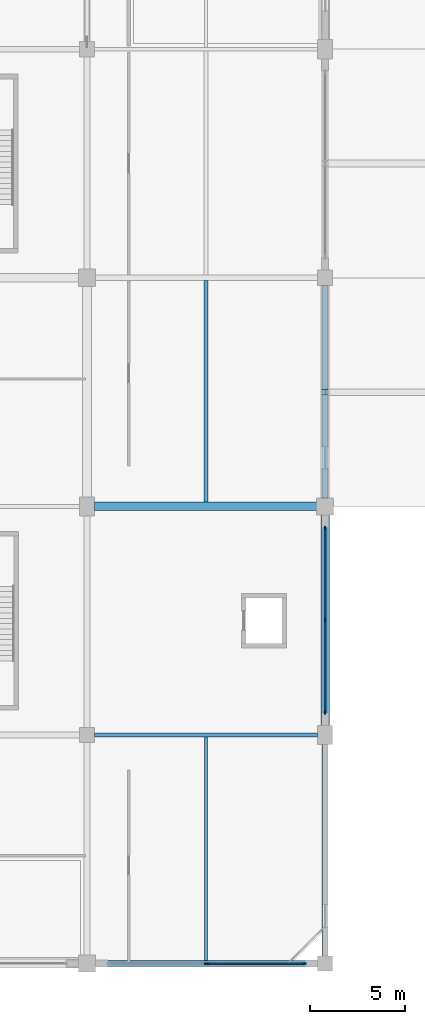
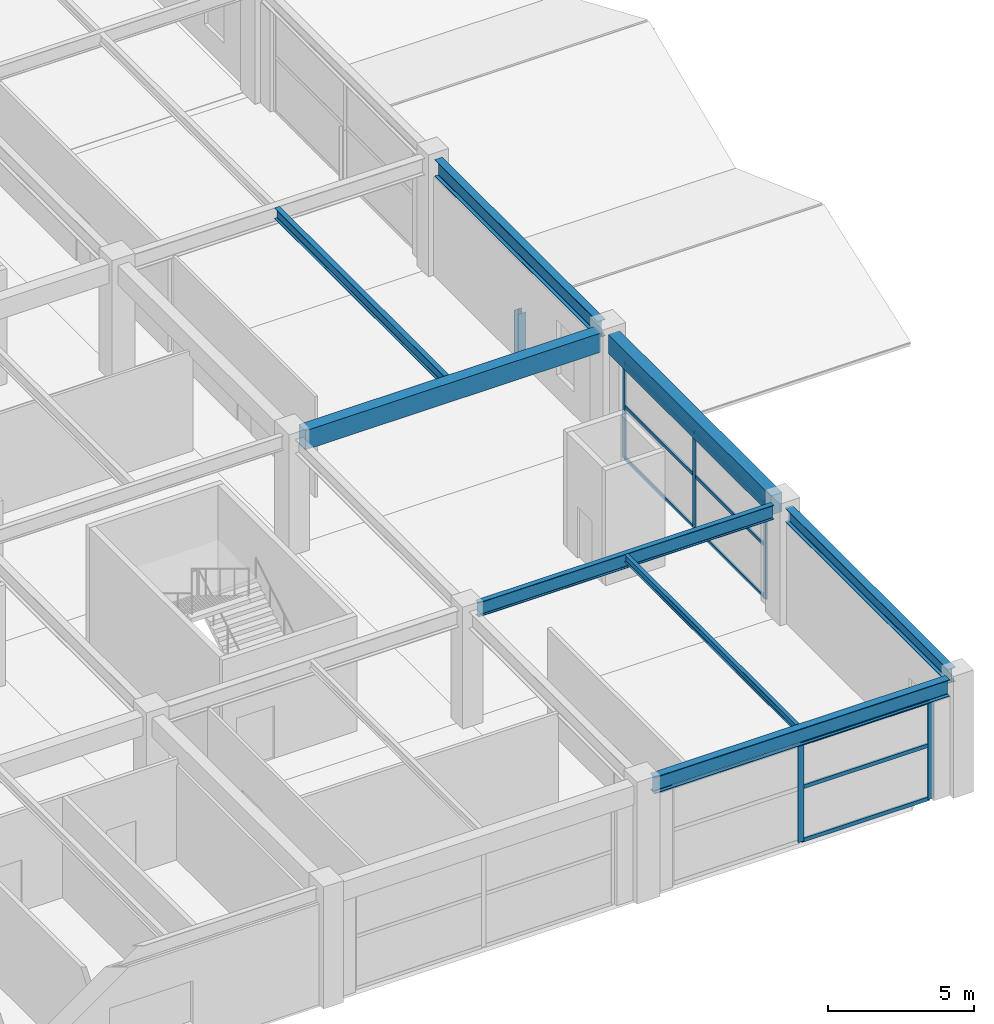
# One storey, part 36 of 116: 15 members, 8 beams, 2 elements without a shape of their own.
"""IFC4 building model written with IfcOpenShell, lengths in metres."""

import ifcopenshell
import ifcopenshell.guid

model = None  # the IFC model being written
_history = None  # IfcOwnerHistory: only IFC2X3 demands one
_inside = {}  # id of a spatial element -> (the spatial element, [elements in it])
_under = {}  # id of a project, library or spatial element -> (it, [spatial elements below it])
_declared = {}  # id of a project -> (the project, [libraries it declares])
_typed = {}  # id of a type object -> (the type object, [elements of that type])
_made_of = {}  # id of a material, layer set ... -> (it, [elements and type objects made of it])


def new_model(schema):
    """Start an empty IFC model of exactly this schema.

    Asked for "IFC4X3", IfcOpenShell would pick the latest addendum, in which some entities
    have other attributes; the version numbers below select the first issue.
    IFC2X3 requires an IfcOwnerHistory on every rooted entity: one is made here for all.
    """
    global model, _history
    if schema == "IFC4X3":
        model = ifcopenshell.file(schema_version=(4, 3, 0, 0))
    else:
        model = ifcopenshell.file(schema=schema)
    _inside.clear()
    _under.clear()
    _declared.clear()
    _typed.clear()
    _made_of.clear()
    _history = None
    if model.schema == "IFC2X3":
        org = make("IfcOrganization", Name="unknown")
        user = make(
            "IfcPersonAndOrganization",
            ThePerson=make("IfcPerson", FamilyName="unknown"),
            TheOrganization=org,
        )
        app = make(
            "IfcApplication",
            ApplicationDeveloper=org,
            Version="unknown",
            ApplicationFullName="unknown",
            ApplicationIdentifier="unknown",
        )
        _history = make(
            "IfcOwnerHistory",
            OwningUser=user,
            OwningApplication=app,
            ChangeAction="ADDED",
            CreationDate=0,
        )
    return model


def make(cls, **values):
    """One entity of the class cls with the attributes given. An attribute that is None is left unset."""
    return model.create_entity(
        cls, **{name: value for name, value in values.items() if value is not None}
    )


def rooted(cls, **values):
    """An entity with a GlobalId (a new one), such as an element, a storey or a relation."""
    return make(cls, GlobalId=ifcopenshell.guid.new(), OwnerHistory=_history, **values)


def si_unit(unit_type, name, prefix=None):
    """IfcSIUnit, for example si_unit("LENGTHUNIT", "METRE", prefix="MILLI")."""
    return make("IfcSIUnit", UnitType=unit_type, Prefix=prefix, Name=name)


def assignment(units):
    """IfcUnitAssignment: the units of a project."""
    return None if units is None else make("IfcUnitAssignment", Units=units)


def point(xyz):
    """IfcCartesianPoint."""
    return None if xyz is None else make("IfcCartesianPoint", Coordinates=xyz)


def direction(xyz):
    """IfcDirection."""
    return None if xyz is None else make("IfcDirection", DirectionRatios=xyz)


def frame(location, z_axis=None, x_axis=None):
    """IfcAxis2Placement3D, a coordinate frame: its origin and axes. An axis left out is left unset."""
    return make(
        "IfcAxis2Placement3D",
        Location=point(location),
        Axis=direction(z_axis),
        RefDirection=direction(x_axis),
    )


def frame_2d(location, x_axis=None):
    """IfcAxis2Placement2D, a coordinate frame in the plane: its origin and x axis."""
    return make(
        "IfcAxis2Placement2D", Location=point(location), RefDirection=direction(x_axis)
    )


def origin():
    """The frame at (0, 0, 0) with its axes left unset."""
    return frame((0.0, 0.0, 0.0))


def origin_2d():
    """The frame at (0, 0) in the plane with its x axis left unset."""
    return frame_2d((0.0, 0.0))


def place(relative_to, where):
    """IfcLocalPlacement: puts the frame where relative to a parent placement (None: the world)."""
    return make(
        "IfcLocalPlacement", PlacementRelTo=relative_to, RelativePlacement=where
    )


def context(
    kind, dimensions, precision=None, world=None, true_north=None, identifier=None
):
    """IfcGeometricRepresentationContext, for example the 3D "Model" context."""
    return make(
        "IfcGeometricRepresentationContext",
        ContextIdentifier=identifier,
        ContextType=kind,
        CoordinateSpaceDimension=dimensions,
        Precision=precision,
        WorldCoordinateSystem=world,
        TrueNorth=true_north,
    )


def subcontext(parent, identifier, kind, view, scale=None):
    """IfcGeometricRepresentationSubContext, for example "Body" below "Model"."""
    return make(
        "IfcGeometricRepresentationSubContext",
        ContextIdentifier=identifier,
        ContextType=kind,
        ParentContext=parent,
        TargetScale=scale,
        TargetView=view,
    )


def project(units=None, contexts=None):
    """IfcProject with its units and contexts."""
    return rooted(
        "IfcProject",
        Name="project",
        RepresentationContexts=contexts,
        UnitsInContext=assignment(units),
    )


def spatial(cls, under=None, at=None, **own):
    """A site, building, storey or space (cls), placed at a placement, below another one or the project."""
    s = rooted(cls, ObjectPlacement=at, **own)
    if under is not None:
        _under.setdefault(under.id(), (under, []))[1].append(s)
    return s


def profile(cls, at=None, kind="AREA", **sizes):
    """A parametric profile (cls). Its sizes go by their IFC names, for example OverallWidth=200.0."""
    return make(cls, ProfileType=kind, Position=at, **sizes)


def rectangle(**sizes):
    """IfcRectangleProfileDef."""
    return profile("IfcRectangleProfileDef", **sizes)


def i_section(**sizes):
    """IfcIShapeProfileDef."""
    return profile("IfcIShapeProfileDef", **sizes)


def extrude(swept, where, along, depth):
    """IfcExtrudedAreaSolid: the profile swept, set in the frame where, extruded along a direction by depth."""
    return make(
        "IfcExtrudedAreaSolid",
        SweptArea=swept,
        Position=where,
        ExtrudedDirection=direction(along),
        Depth=depth,
    )


def shape(context_of_items, identifier, shape_type, items):
    """IfcShapeRepresentation: the items that make up one representation, for example the "Body"."""
    return make(
        "IfcShapeRepresentation",
        ContextOfItems=context_of_items,
        RepresentationIdentifier=identifier,
        RepresentationType=shape_type,
        Items=items,
    )


def material(Name=None, Category=None):
    """IfcMaterial."""
    return make("IfcMaterial", Name=Name, Category=Category)


def layer(
    of_material, thickness, ventilated=None, Name=None, Category=None, Priority=None
):
    """IfcMaterialLayer: one layer of a wall or slab, of a material (None: an air gap)."""
    return make(
        "IfcMaterialLayer",
        Material=of_material,
        LayerThickness=thickness,
        IsVentilated=ventilated,
        Name=Name,
        Category=Category,
        Priority=Priority,
    )


def layer_set(layers, Name=None):
    """IfcMaterialLayerSet."""
    return make("IfcMaterialLayerSet", MaterialLayers=layers, LayerSetName=Name)


def material_profile(
    of_material, cross_section, Name=None, Category=None, Priority=None
):
    """IfcMaterialProfile: a cross section and its material."""
    return make(
        "IfcMaterialProfile",
        Name=Name,
        Material=of_material,
        Profile=cross_section,
        Priority=Priority,
        Category=Category,
    )


def profile_set(profiles, Name=None, composite=None):
    """IfcMaterialProfileSet."""
    return make(
        "IfcMaterialProfileSet",
        Name=Name,
        MaterialProfiles=profiles,
        CompositeProfile=composite,
    )


def made_of(thing, what):
    """Note that an element or type object is made of a material, layer set ...; save() writes the relation."""
    if what is not None:
        _made_of.setdefault(what.id(), (what, []))[1].append(thing)
    return thing


def type_object(cls, material=None, **own):
    """A type object (cls), such as IfcWallType, which elements share."""
    return made_of(rooted(cls, **own), material)


def element(
    cls,
    number,
    at=None,
    inside=None,
    cuts=None,
    type_object=None,
    material=None,
    context=None,
    identifier="Body",
    shape_type=None,
    held_by="IfcProductDefinitionShape",
    body=None,
    shapes=None,
    **own,
):
    """One element of the class cls, such as IfcWall. Its Tag is "e" and its number.

    at: its placement. inside: the storey or other place that contains it. cuts: it is an
    opening in that element (IfcRelVoidsElement). A single representation is given by context,
    identifier, shape_type and body (its items); several are given by shapes. held_by: the class
    of the entity that holds the representations. save() writes the other relations.
    """
    e = rooted(cls, Tag="e%d" % number, ObjectPlacement=at, **own)
    if body is not None:
        shapes = [shape(context, identifier, shape_type, body)]
    if shapes is not None:
        e.Representation = make(held_by, Representations=shapes)
    if inside is not None:
        _inside.setdefault(inside.id(), (inside, []))[1].append(e)
    if cuts is not None:
        rooted(
            "IfcRelVoidsElement", RelatingBuildingElement=cuts, RelatedOpeningElement=e
        )
    if type_object is not None:
        _typed.setdefault(type_object.id(), (type_object, []))[1].append(e)
    return made_of(e, material)


def aggregate(whole, parts):
    """IfcRelAggregates: a whole, such as a stair, and the parts it consists of."""
    return rooted("IfcRelAggregates", RelatingObject=whole, RelatedObjects=parts)


def save(model, path):
    """Write the relations noted so far, then the file.

    IfcRelAggregates (storeys below a building ...), IfcRelContainedInSpatialStructure (elements
    in a storey), IfcRelDefinesByType, IfcRelAssociatesMaterial and IfcRelDeclares: one each for
    every whole, place, type object, material and project.
    """
    for whole, parts in _under.values():
        aggregate(whole, parts)
    for where, things in _inside.values():
        rooted(
            "IfcRelContainedInSpatialStructure",
            RelatedElements=things,
            RelatingStructure=where,
        )
    for kind, things in _typed.values():
        rooted("IfcRelDefinesByType", RelatedObjects=things, RelatingType=kind)
    for what, things in _made_of.values():
        rooted("IfcRelAssociatesMaterial", RelatedObjects=things, RelatingMaterial=what)
    for by, libraries in _declared.values():
        rooted("IfcRelDeclares", RelatingContext=by, RelatedDefinitions=libraries)
    model.write(path)


model = new_model("IFC4")

# Units and contexts
model_context = context("Model", 3, precision=1e-05, world=origin(), true_north=direction((0.0, 1.0)))
body_context = subcontext(model_context, "Body", "Model", "MODEL_VIEW")
ifc_project = project(units=[si_unit("LENGTHUNIT", "METRE"), si_unit("AREAUNIT", "SQUARE_METRE"), si_unit("VOLUMEUNIT", "CUBIC_METRE"), si_unit("PLANEANGLEUNIT", "RADIAN"), si_unit("MASSUNIT", "GRAM", prefix="KILO")], contexts=[model_context])

# Site, building, storey
site_placement = place(None, origin())
site = spatial("IfcSite", under=ifc_project, at=site_placement, CompositionType="ELEMENT")
building_placement = place(site_placement, origin())
building = spatial("IfcBuilding", under=site, at=building_placement, Name="Kazenohara Klinker Stadium", CompositionType="ELEMENT")
storey_placement = place(building_placement, frame((0.0, 0.0, 10.199951171875)))
storey = spatial("IfcBuildingStorey", under=building, at=storey_placement, Name="L02", CompositionType="ELEMENT", Elevation=10.199951171875)

# Beams
ifc_material_1 = material(Name="Steel S355", Category="steel")
ifc_material_profile_1 = material_profile(ifc_material_1, i_section(OverallWidth=0.199951171875, OverallDepth=0.449951171875, WebThickness=0.009033203125, FlangeThickness=0.013916015625, FilletRadius=0.012939453125, at=origin_2d()), Name="H-450x200x9x14")
ifc_profile_set_1 = profile_set([ifc_material_profile_1], Name="Steel S355")
beam_type_1 = type_object("IfcBeamType", Name="BM-JST02", PredefinedType="JOIST", material=ifc_profile_set_1)
beam_1_placement = place(storey_placement, frame((193.75, 36.22509765625, 4.594970703125), z_axis=(0.0, 1.0, 0.0), x_axis=(-1.0, 0.0, 0.0)))
element("IfcBeam", 1, at=beam_1_placement, inside=storey, type_object=beam_type_1, Name="Secondary floor joist SJ02 L02 16/D", PredefinedType="JOIST", context=body_context, shape_type="SweptSolid", body=[
    extrude(i_section(OverallWidth=0.199951171875, OverallDepth=0.449951171875, WebThickness=0.009033203125, FlangeThickness=0.013916015625, FilletRadius=0.012939453125, at=origin_2d()), origin(), (0.0, 0.0, 1.0), 11.625),
])
ifc_material_profile_2 = material_profile(ifc_material_1, i_section(OverallWidth=0.14990234375, OverallDepth=0.300048828125, WebThickness=0.006591796875, FlangeThickness=0.009033203125, FilletRadius=0.012939453125, at=origin_2d()), Name="H-300x150x6.5x9")
ifc_profile_set_2 = profile_set([ifc_material_profile_2], Name="Steel S355")
beam_type_2 = type_object("IfcBeamType", Name="BM-JST05", PredefinedType="JOIST", material=ifc_profile_set_2)
beam_2_placement = place(storey_placement, frame((193.75, 12.14990234375, 4.670166015625), z_axis=(0.0, 1.0, 0.0), x_axis=(-1.0, 0.0, 0.0)))
element("IfcBeam", 2, at=beam_2_placement, inside=storey, type_object=beam_type_2, Name="Secondary floor joist SJ05 L02 16/B", PredefinedType="JOIST", context=body_context, shape_type="SweptSolid", body=[
    extrude(i_section(OverallWidth=0.14990234375, OverallDepth=0.300048828125, WebThickness=0.006591796875, FlangeThickness=0.009033203125, FilletRadius=0.012939453125, at=origin_2d()), origin(), (0.0, 0.0, 1.0), 11.75),
])
ifc_material_2 = material(Name="Concrete C40/50", Category="concrete")
ifc_material_profile_3 = material_profile(ifc_material_2, rectangle(XDim=0.449951171875, YDim=0.800048828125, at=origin_2d()), Name="RC-BM-450x800")
ifc_profile_set_3 = profile_set([ifc_material_profile_3], Name="Concrete C40/50")
beam_type_3 = type_object("IfcBeamType", Name="BM-RC03", PredefinedType="BEAM", material=ifc_profile_set_3)
beam_3_placement = place(storey_placement, frame((187.89990234375, 36.0, 4.420166015625), z_axis=(1.0, 0.0, 0.0), x_axis=(0.0, 1.0, 0.0)))
element("IfcBeam", 3, at=beam_3_placement, inside=storey, type_object=beam_type_3, Name="Primary girder BG03 L02 16-17/D", PredefinedType="BEAM", context=body_context, shape_type="SweptSolid", body=[
    extrude(rectangle(XDim=0.449951171875, YDim=0.800048828125, at=origin_2d()), origin(), (0.0, 0.0, 1.0), 11.68017578125),
])
beam_4_placement = place(storey_placement, frame((200.0, 24.419921875, 4.420166015625), z_axis=(0.0, 1.0, 0.0), x_axis=(-1.0, 0.0, 0.0)))
element("IfcBeam", 4, at=beam_4_placement, inside=storey, type_object=beam_type_3, Name="Primary girder BG03 L02 17/C-D", PredefinedType="BEAM", context=body_context, shape_type="SweptSolid", body=[
    extrude(rectangle(XDim=0.449951171875, YDim=0.800048828125, at=origin_2d()), origin(), (0.0, 0.0, 1.0), 11.16015625),
])
ifc_material_profile_4 = material_profile(ifc_material_1, i_section(OverallWidth=0.300048828125, OverallDepth=0.699951171875, WebThickness=0.012939453125, FlangeThickness=0.02392578125, FilletRadius=0.02197265625, at=origin_2d()), Name="H-700x300x13x24")
ifc_profile_set_4 = profile_set([ifc_material_profile_4], Name="Steel S355")
beam_type_4 = type_object("IfcBeamType", Name="BM-ST03", PredefinedType="BEAM", material=ifc_profile_set_4)
beam_5_placement = place(storey_placement, frame((187.919921875, 12.0, 4.469970703125), z_axis=(1.0, 0.0, 0.0), x_axis=(0.0, 1.0, 0.0)))
element("IfcBeam", 5, at=beam_5_placement, inside=storey, type_object=beam_type_4, Name="Primary girder SB03 L02 16-17/B", PredefinedType="BEAM", context=body_context, shape_type="SweptSolid", body=[
    extrude(i_section(OverallWidth=0.300048828125, OverallDepth=0.699951171875, WebThickness=0.012939453125, FlangeThickness=0.02392578125, FilletRadius=0.02197265625, at=origin_2d()), origin(), (0.0, 0.0, 1.0), 11.68017578125),
])
beam_6_placement = place(storey_placement, frame((200.0, 36.419921875, 4.469970703125), z_axis=(0.0, 1.0, 0.0), x_axis=(-1.0, 0.0, 0.0)))
element("IfcBeam", 6, at=beam_6_placement, inside=storey, type_object=beam_type_4, Name="Primary girder SB03 L02 17/D-E", PredefinedType="BEAM", context=body_context, shape_type="SweptSolid", body=[
    extrude(i_section(OverallWidth=0.300048828125, OverallDepth=0.699951171875, WebThickness=0.012939453125, FlangeThickness=0.02392578125, FilletRadius=0.02197265625, at=origin_2d()), origin(), (0.0, 0.0, 1.0), 11.18017578125),
])
ifc_material_profile_5 = material_profile(ifc_material_1, i_section(OverallWidth=0.199951171875, OverallDepth=0.60009765625, WebThickness=0.010986328125, FlangeThickness=0.01708984375, FilletRadius=0.012939453125, at=origin_2d()), Name="H-600x200x11x17")
ifc_profile_set_5 = profile_set([ifc_material_profile_5], Name="Steel S355")
beam_type_5 = type_object("IfcBeamType", Name="BM-ST04", PredefinedType="BEAM", material=ifc_profile_set_5)
beam_7_placement = place(storey_placement, frame((187.89990234375, 24.0, 4.52001953125), z_axis=(1.0, 0.0, 0.0), x_axis=(0.0, 1.0, 0.0)))
element("IfcBeam", 7, at=beam_7_placement, inside=storey, type_object=beam_type_5, Name="Primary girder SB04 L02 16-17/C", PredefinedType="BEAM", context=body_context, shape_type="SweptSolid", body=[
    extrude(i_section(OverallWidth=0.199951171875, OverallDepth=0.60009765625, WebThickness=0.010986328125, FlangeThickness=0.01708984375, FilletRadius=0.012939453125, at=origin_2d()), origin(), (0.0, 0.0, 1.0), 11.7001953125),
])
ifc_material_profile_6 = material_profile(ifc_material_1, i_section(OverallWidth=0.300048828125, OverallDepth=0.587890625, WebThickness=0.011962890625, FlangeThickness=0.02001953125, FilletRadius=0.02197265625, at=origin_2d()), Name="H-588x300x12x20")
ifc_profile_set_6 = profile_set([ifc_material_profile_6], Name="Steel S355")
beam_type_6 = type_object("IfcBeamType", Name="BM-ST05", PredefinedType="BEAM", material=ifc_profile_set_6)
beam_8_placement = place(storey_placement, frame((200.0, 12.39990234375, 4.526123046875), z_axis=(0.0, 1.0, 0.0), x_axis=(-1.0, 0.0, 0.0)))
element("IfcBeam", 8, at=beam_8_placement, inside=storey, type_object=beam_type_6, Name="Primary girder SB05 L02 17/B-C", PredefinedType="BEAM", context=body_context, shape_type="SweptSolid", body=[
    extrude(i_section(OverallWidth=0.300048828125, OverallDepth=0.587890625, WebThickness=0.011962890625, FlangeThickness=0.02001953125, FilletRadius=0.02197265625, at=origin_2d()), origin(), (0.0, 0.0, 1.0), 11.18017578125),
])

# Curtain wall, members
ifc_material_3 = material(Name="Anodised aluminium and triple glazing", Category="aluminium")
ifc_layer_1 = layer(ifc_material_3, 0.169921875)
ifc_layer_set_1 = layer_set([ifc_layer_1], Name="Anodised aluminium and triple glazing")
curtain_wall_type_1 = type_object("IfcCurtainWallType", Name="CW-SYS-04", PredefinedType="USERDEFINED", material=ifc_layer_set_1)
curtain_wall_1_placement = place(storey_placement, origin())
curtain_wall_1 = element("IfcCurtainWall", 9, at=curtain_wall_1_placement, inside=storey, type_object=curtain_wall_type_1, Name="Unitised facade curtain wall CW04 L02 Y16-2", ObjectType="UNITISED CURTAIN WALL", PredefinedType="USERDEFINED")
ifc_material_4 = material(Name="Anodised aluminium 6063-T6", Category="aluminium")
ifc_material_profile_7 = material_profile(ifc_material_4, rectangle(XDim=0.06494140625, YDim=0.179931640625, at=origin_2d()), Name="ALU-MUL-65x180")
ifc_profile_set_7 = profile_set([ifc_material_profile_7], Name="Anodised aluminium 6063-T6")
member_type_1 = type_object("IfcMemberType", Name="CW-MUL-180", PredefinedType="MULLION", material=ifc_profile_set_7)
member_1_placement = place(storey_placement, frame((200.0, 25.1865234375, 0.0), z_axis=(0.0, 0.0, 1.0), x_axis=(-1.0, 0.0, 0.0)))
member_1 = element("IfcMember", 10, at=member_1_placement, type_object=member_type_1, Name="CW04 mullion 1", PredefinedType="MULLION", context=body_context, shape_type="SweptSolid", body=[
    extrude(rectangle(XDim=0.06494140625, YDim=0.179931640625, at=origin_2d()), origin(), (0.0, 0.0, 1.0), 4.02001953125),
])
member_2_placement = place(storey_placement, frame((200.0, 30.02490234375, 0.0), z_axis=(0.0, 0.0, 1.0), x_axis=(-1.0, 0.0, 0.0)))
member_2 = element("IfcMember", 11, at=member_2_placement, type_object=member_type_1, Name="CW04 mullion 2", PredefinedType="MULLION", context=body_context, shape_type="SweptSolid", body=[
    extrude(rectangle(XDim=0.06494140625, YDim=0.179931640625, at=origin_2d()), origin(), (0.0, 0.0, 1.0), 4.02001953125),
])
member_3_placement = place(storey_placement, frame((200.0, 34.863525390625, 0.0), z_axis=(0.0, 0.0, 1.0), x_axis=(-1.0, 0.0, 0.0)))
member_3 = element("IfcMember", 12, at=member_3_placement, type_object=member_type_1, Name="CW04 mullion 3", PredefinedType="MULLION", context=body_context, shape_type="SweptSolid", body=[
    extrude(rectangle(XDim=0.06494140625, YDim=0.179931640625, at=origin_2d()), origin(), (0.0, 0.0, 1.0), 4.02001953125),
])

ifc_layer_2 = layer(ifc_material_3, 0.199951171875)
ifc_layer_set_2 = layer_set([ifc_layer_2], Name="Anodised aluminium and triple glazing")
curtain_wall_type_2 = type_object("IfcCurtainWallType", Name="CW-SYS-03", PredefinedType="USERDEFINED", material=ifc_layer_set_2)
curtain_wall_2_placement = place(storey_placement, origin())
curtain_wall_2 = element("IfcCurtainWall", 13, at=curtain_wall_2_placement, inside=storey, type_object=curtain_wall_type_2, Name="Unitised facade curtain wall CW03 L02 X15-1", ObjectType="UNITISED CURTAIN WALL", PredefinedType="USERDEFINED")
ifc_material_profile_8 = material_profile(ifc_material_4, rectangle(XDim=0.074951171875, YDim=0.219970703125, at=origin_2d()), Name="ALU-MUL-75x220")
ifc_profile_set_8 = profile_set([ifc_material_profile_8], Name="Anodised aluminium 6063-T6")
member_type_2 = type_object("IfcMemberType", Name="CW-MUL-220", PredefinedType="MULLION", material=ifc_profile_set_8)
member_4_placement = place(storey_placement, frame((193.77490234375, 12.0, 0.0), z_axis=(0.0, 0.0, 1.0), x_axis=(0.0, 1.0, 0.0)))
member_4 = element("IfcMember", 14, at=member_4_placement, type_object=member_type_2, Name="CW03 mullion 2", PredefinedType="MULLION", context=body_context, shape_type="SweptSolid", body=[
    extrude(rectangle(XDim=0.074951171875, YDim=0.219970703125, at=origin_2d()), origin(), (0.0, 0.0, 1.0), 4.1201171875),
])
member_5_placement = place(storey_placement, frame((198.908447265625, 12.0, 0.0), z_axis=(0.0, 0.0, 1.0), x_axis=(0.0, 1.0, 0.0)))
member_5 = element("IfcMember", 15, at=member_5_placement, type_object=member_type_2, Name="CW03 mullion 3", PredefinedType="MULLION", context=body_context, shape_type="SweptSolid", body=[
    extrude(rectangle(XDim=0.074951171875, YDim=0.219970703125, at=origin_2d()), origin(), (0.0, 0.0, 1.0), 4.1201171875),
])

# Member
ifc_material_profile_9 = material_profile(ifc_material_4, rectangle(XDim=0.06494140625, YDim=0.139892578125, at=origin_2d()), Name="ALU-TRN-65x140")
ifc_profile_set_9 = profile_set([ifc_material_profile_9], Name="Anodised aluminium 6063-T6")
member_type_3 = type_object("IfcMemberType", Name="CW-TRN-140", PredefinedType="USERDEFINED", material=ifc_profile_set_9)
member_6_placement = place(storey_placement, frame((200.0, 25.218994140625, 0.032470703125), z_axis=(0.0, 1.0, 0.0), x_axis=(-1.0, 0.0, 0.0)))
member_6 = element("IfcMember", 16, at=member_6_placement, type_object=member_type_3, Name="CW04 transom 1.1", ObjectType="TRANSOM", PredefinedType="USERDEFINED", context=body_context, shape_type="SweptSolid", body=[
    extrude(rectangle(XDim=0.06494140625, YDim=0.139892578125, at=origin_2d()), origin(), (0.0, 0.0, 1.0), 4.7734375),
])

member_7_placement = place(storey_placement, frame((200.0, 25.218994140625, 2.2109375), z_axis=(0.0, 1.0, 0.0), x_axis=(-1.0, 0.0, 0.0)))
member_7 = element("IfcMember", 17, at=member_7_placement, type_object=member_type_3, Name="CW04 transom 1.2", ObjectType="TRANSOM", PredefinedType="USERDEFINED", context=body_context, shape_type="SweptSolid", body=[
    extrude(rectangle(XDim=0.06494140625, YDim=0.139892578125, at=origin_2d()), origin(), (0.0, 0.0, 1.0), 4.7734375),
])

member_8_placement = place(storey_placement, frame((200.0, 25.218994140625, 3.987548828125), z_axis=(0.0, 1.0, 0.0), x_axis=(-1.0, 0.0, 0.0)))
member_8 = element("IfcMember", 18, at=member_8_placement, type_object=member_type_3, Name="CW04 transom 1.3", ObjectType="TRANSOM", PredefinedType="USERDEFINED", context=body_context, shape_type="SweptSolid", body=[
    extrude(rectangle(XDim=0.06494140625, YDim=0.139892578125, at=origin_2d()), origin(), (0.0, 0.0, 1.0), 4.7734375),
])

member_9_placement = place(storey_placement, frame((200.0, 30.0576171875, 0.032470703125), z_axis=(0.0, 1.0, 0.0), x_axis=(-1.0, 0.0, 0.0)))
member_9 = element("IfcMember", 19, at=member_9_placement, type_object=member_type_3, Name="CW04 transom 2.1", ObjectType="TRANSOM", PredefinedType="USERDEFINED", context=body_context, shape_type="SweptSolid", body=[
    extrude(rectangle(XDim=0.06494140625, YDim=0.139892578125, at=origin_2d()), origin(), (0.0, 0.0, 1.0), 4.7734375),
])

member_10_placement = place(storey_placement, frame((200.0, 30.0576171875, 2.2109375), z_axis=(0.0, 1.0, 0.0), x_axis=(-1.0, 0.0, 0.0)))
member_10 = element("IfcMember", 20, at=member_10_placement, type_object=member_type_3, Name="CW04 transom 2.2", ObjectType="TRANSOM", PredefinedType="USERDEFINED", context=body_context, shape_type="SweptSolid", body=[
    extrude(rectangle(XDim=0.06494140625, YDim=0.139892578125, at=origin_2d()), origin(), (0.0, 0.0, 1.0), 4.7734375),
])

member_11_placement = place(storey_placement, frame((200.0, 30.0576171875, 3.987548828125), z_axis=(0.0, 1.0, 0.0), x_axis=(-1.0, 0.0, 0.0)))
member_11 = element("IfcMember", 21, at=member_11_placement, type_object=member_type_3, Name="CW04 transom 2.3", ObjectType="TRANSOM", PredefinedType="USERDEFINED", context=body_context, shape_type="SweptSolid", body=[
    extrude(rectangle(XDim=0.06494140625, YDim=0.139892578125, at=origin_2d()), origin(), (0.0, 0.0, 1.0), 4.7734375),
])

aggregate(curtain_wall_1, [member_1, member_2, member_3, member_6, member_7, member_8, member_9, member_10, member_11])

ifc_material_profile_10 = material_profile(ifc_material_4, rectangle(XDim=0.074951171875, YDim=0.159912109375, at=origin_2d()), Name="ALU-TRN-75x160")
ifc_profile_set_10 = profile_set([ifc_material_profile_10], Name="Anodised aluminium 6063-T6")
member_type_4 = type_object("IfcMemberType", Name="CW-TRN-160", PredefinedType="USERDEFINED", material=ifc_profile_set_10)
member_12_placement = place(storey_placement, frame((193.8125, 12.0, 0.03759765625), z_axis=(1.0, 0.0, 0.0), x_axis=(0.0, 1.0, 0.0)))
member_12 = element("IfcMember", 22, at=member_12_placement, type_object=member_type_4, Name="CW03 transom 2.1", ObjectType="TRANSOM", PredefinedType="USERDEFINED", context=body_context, shape_type="SweptSolid", body=[
    extrude(rectangle(XDim=0.074951171875, YDim=0.159912109375, at=origin_2d()), origin(), (0.0, 0.0, 1.0), 5.05859375),
])

member_13_placement = place(storey_placement, frame((193.8125, 12.0, 2.26611328125), z_axis=(1.0, 0.0, 0.0), x_axis=(0.0, 1.0, 0.0)))
member_13 = element("IfcMember", 23, at=member_13_placement, type_object=member_type_4, Name="CW03 transom 2.2", ObjectType="TRANSOM", PredefinedType="USERDEFINED", context=body_context, shape_type="SweptSolid", body=[
    extrude(rectangle(XDim=0.074951171875, YDim=0.159912109375, at=origin_2d()), origin(), (0.0, 0.0, 1.0), 5.05859375),
])

member_14_placement = place(storey_placement, frame((193.8125, 12.0, 4.08251953125), z_axis=(1.0, 0.0, 0.0), x_axis=(0.0, 1.0, 0.0)))
member_14 = element("IfcMember", 24, at=member_14_placement, type_object=member_type_4, Name="CW03 transom 2.3", ObjectType="TRANSOM", PredefinedType="USERDEFINED", context=body_context, shape_type="SweptSolid", body=[
    extrude(rectangle(XDim=0.074951171875, YDim=0.159912109375, at=origin_2d()), origin(), (0.0, 0.0, 1.0), 5.05859375),
])

aggregate(curtain_wall_2, [member_4, member_5, member_12, member_13, member_14])

ifc_material_profile_11 = material_profile(ifc_material_1, i_section(OverallWidth=0.300048828125, OverallDepth=0.300048828125, WebThickness=0.010009765625, FlangeThickness=0.014892578125, FilletRadius=0.012939453125, at=origin_2d()), Name="H-300x300x10x15")
ifc_profile_set_11 = profile_set([ifc_material_profile_11], Name="Steel S355")
member_type_5 = type_object("IfcMemberType", Name="MEM-STR01", PredefinedType="STRUT", material=ifc_profile_set_11)
member_15_placement = place(storey_placement, frame((200.0, 42.0, -0.429931640625), z_axis=(0.0, 0.0, 1.0), x_axis=(1.0, 0.0, 0.0)))
element("IfcMember", 25, at=member_15_placement, inside=storey, type_object=member_type_5, Name="Stepped pavilion gable king-post L02 17/D W", PredefinedType="STRUT", context=body_context, shape_type="SweptSolid", body=[
    extrude(i_section(OverallWidth=0.300048828125, OverallDepth=0.300048828125, WebThickness=0.010009765625, FlangeThickness=0.014892578125, FilletRadius=0.012939453125, at=origin_2d()), origin(), (0.0, 0.0, 1.0), 2.260009765625),
])

save(model, "model.ifc")
